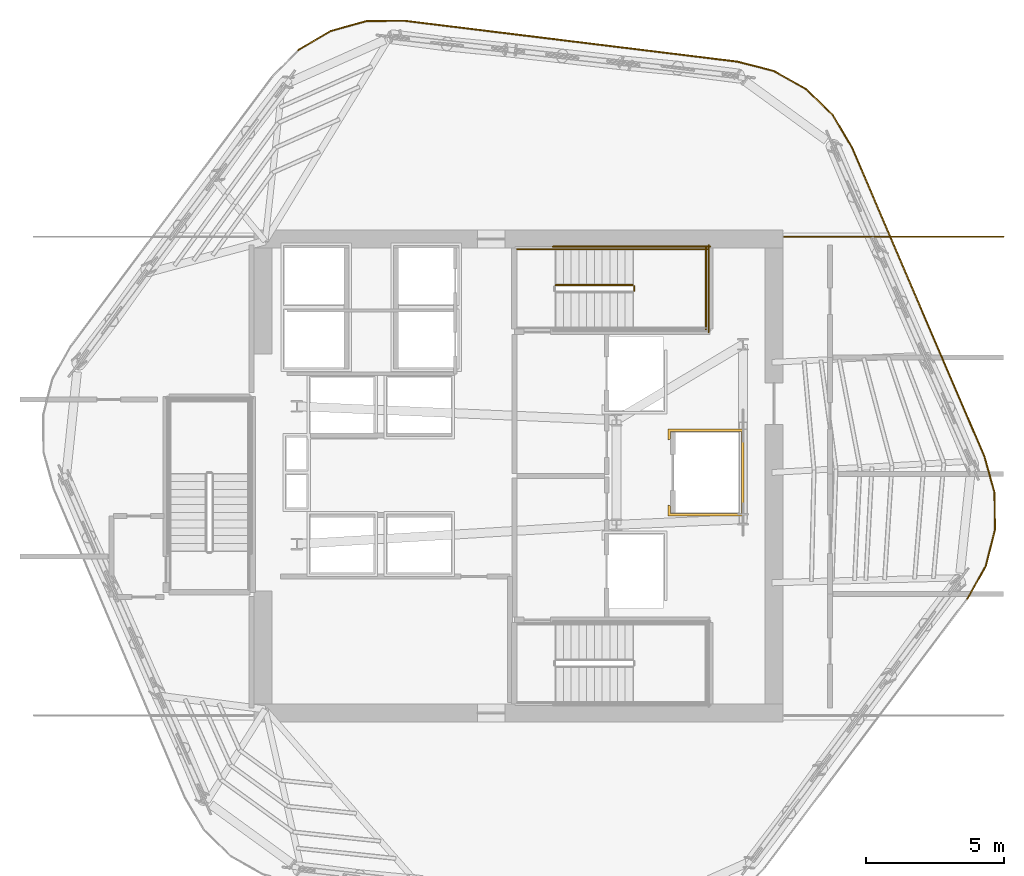
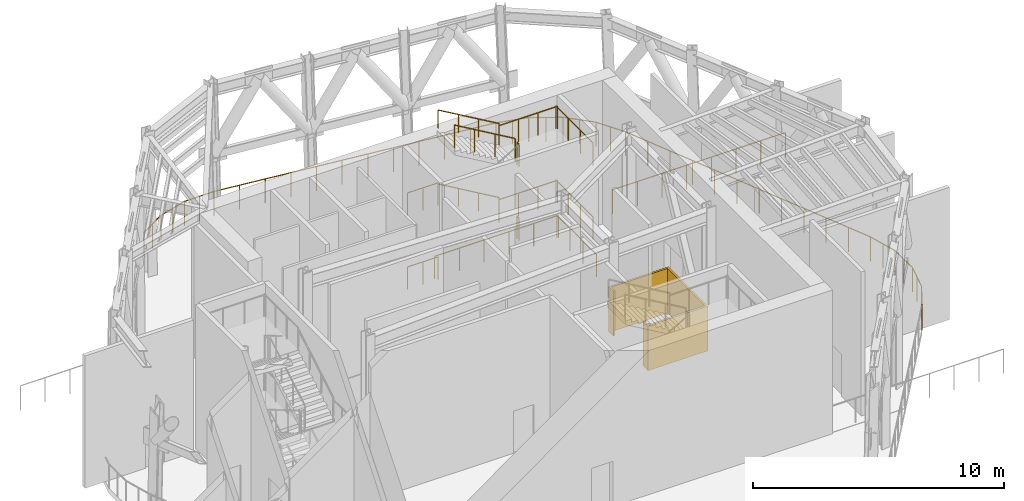
# One storey, part 10 of 10: 27 railings, 1 covering.
"""IFC4 building model written with IfcOpenShell, lengths in metres."""

from ifc_helpers import new_model, si_unit, direction, frame, origin, origin_2d, place, context, subcontext, project, spatial, polyline, circle, outline, extrude, material, layer, layer_set, type_object, element, save


model = new_model("IFC4")

# Units and contexts
model_context = context("Model", 3, precision=1e-05, world=origin(), true_north=direction((0.0, 1.0)))
body_context = subcontext(model_context, "Body", "Model", "MODEL_VIEW")
ifc_project = project(units=[si_unit("LENGTHUNIT", "METRE"), si_unit("AREAUNIT", "SQUARE_METRE"), si_unit("VOLUMEUNIT", "CUBIC_METRE"), si_unit("PLANEANGLEUNIT", "RADIAN"), si_unit("MASSUNIT", "GRAM", prefix="KILO")], contexts=[model_context])

# Site, building, storey
site_placement = place(None, origin())
site = spatial("IfcSite", under=ifc_project, at=site_placement, CompositionType="ELEMENT")
building_placement = place(site_placement, origin())
building = spatial("IfcBuilding", under=site, at=building_placement, Name="Valkerne Bourse Tower", CompositionType="ELEMENT")
storey_placement = place(building_placement, frame((0.0, 0.0, 251.199951171875)))
storey = spatial("IfcBuildingStorey", under=building, at=storey_placement, Name="L64", CompositionType="ELEMENT", Elevation=251.199951171875)

# Covering
ifc_material_1 = material(Name="Gypsum Shaftwall Liner Board", Category="gypsum")
ifc_layer = layer(ifc_material_1, 0.080078125)
ifc_layer_set = layer_set([ifc_layer], Name="Gypsum Shaftwall Liner Board")
covering_type = type_object("IfcCoveringType", Name="COV-SHF-CLAD", PredefinedType="CLADDING", material=ifc_layer_set)
covering_placement = place(storey_placement, origin())
element("IfcCovering", 1, at=covering_placement, inside=storey, type_object=covering_type, Name="L64 Hoistway & Riser Shaftwall Liner 06", PredefinedType="CLADDING", context=body_context, shape_type="SweptSolid", body=[
    extrude(outline(polyline([(54.97998046875, 25.419921875), (52.219970703125, 25.419921875), (52.219970703125, 25.81787109375), (52.227783203125, 25.814208984375), (52.269287109375, 25.79931640625), (52.31005859375, 25.789306640625), (52.31005859375, 25.510009765625), (54.889892578125, 25.510009765625), (54.889892578125, 28.489990234375), (52.31005859375, 28.489990234375), (52.31005859375, 28.210693359375), (52.269287109375, 28.20068359375), (52.227783203125, 28.185791015625), (52.219970703125, 28.18212890625), (52.219970703125, 28.580078125), (54.97998046875, 28.580078125), (54.97998046875, 25.419921875)])), origin(), (0.0, 0.0, 1.0), 2.179931640625),
])

# Railings
ifc_material_2 = material(Name="Stainless Steel AISI 316", Category="steel")
railing_type_1 = type_object("IfcRailingType", Name="RLG-PORTAL-1200", PredefinedType="GUARDRAIL", material=ifc_material_2)
railing_1_placement = place(storey_placement, frame((58.905517578125, 38.792724609375, 0.0)))
element("IfcRailing", 2, at=railing_1_placement, inside=storey, type_object=railing_type_1, Name="L64 Perimeter Guard Railing GRD-L64-HEX-01", PredefinedType="GUARDRAIL", context=body_context, shape_type="SweptSolid", body=[
    extrude(circle(Radius=0.02392578125, at=origin_2d()), frame((0.0, 0.0, 1.17578125), z_axis=(-0.508983783169, 0.860776108214, 0.0), x_axis=(-0.860776108214, -0.508983783169, 0.0)), (0.0, 0.0, 1.0), 1.357421875),
    extrude(circle(Radius=0.02099609375, at=origin_2d()), origin(), (0.0, 0.0, 1.0), 1.15185546875),
    extrude(circle(Radius=0.02099609375, at=origin_2d()), frame((-0.345458984375, 0.584228515625, 0.0)), (0.0, 0.0, 1.0), 1.15185546875),
    extrude(circle(Radius=0.02099609375, at=origin_2d()), frame((-0.69091796875, 1.16845703125, 0.0)), (0.0, 0.0, 1.0), 1.15185546875),
])
railing_2_placement = place(storey_placement, frame((58.214599609375, 39.961181640625, 0.0)))
element("IfcRailing", 3, at=railing_2_placement, inside=storey, type_object=railing_type_1, Name="L64 Perimeter Guard Railing GRD-L64-HEX-02", PredefinedType="GUARDRAIL", context=body_context, shape_type="SweptSolid", body=[
    extrude(circle(Radius=0.02392578125, at=origin_2d()), frame((0.0, 0.0, 1.17578125), z_axis=(-0.714531029054, 0.699603751075, 0.0), x_axis=(-0.699603751075, -0.714531029054, 0.0)), (0.0, 0.0, 1.0), 1.357421875),
    extrude(circle(Radius=0.02099609375, at=origin_2d()), origin(), (0.0, 0.0, 1.0), 1.15185546875),
    extrude(circle(Radius=0.02099609375, at=origin_2d()), frame((-0.48486328125, 0.474853515625, 0.0)), (0.0, 0.0, 1.0), 1.15185546875),
    extrude(circle(Radius=0.02099609375, at=origin_2d()), frame((-0.969970703125, 0.94970703125, 0.0)), (0.0, 0.0, 1.0), 1.15185546875),
])
railing_3_placement = place(storey_placement, frame((57.24462890625, 40.910888671875, 0.0)))
element("IfcRailing", 4, at=railing_3_placement, inside=storey, type_object=railing_type_1, Name="L64 Perimeter Guard Railing GRD-L64-HEX-03", PredefinedType="GUARDRAIL", context=body_context, shape_type="SweptSolid", body=[
    extrude(circle(Radius=0.02392578125, at=origin_2d()), frame((0.0, 0.0, 1.17578125), z_axis=(-0.871171790288, 0.490978321116, 0.0), x_axis=(-0.490978321116, -0.871171790288, 0.0)), (0.0, 0.0, 1.0), 1.357421875),
    extrude(circle(Radius=0.02099609375, at=origin_2d()), origin(), (0.0, 0.0, 1.0), 1.15185546875),
    extrude(circle(Radius=0.02099609375, at=origin_2d()), frame((-0.59130859375, 0.333251953125, 0.0)), (0.0, 0.0, 1.0), 1.15185546875),
    extrude(circle(Radius=0.02099609375, at=origin_2d()), frame((-1.1826171875, 0.66650390625, 0.0)), (0.0, 0.0, 1.0), 1.15185546875),
])
railing_4_placement = place(storey_placement, frame((56.06201171875, 41.577392578125, 0.0)))
element("IfcRailing", 5, at=railing_4_placement, inside=storey, type_object=railing_type_1, Name="L64 Perimeter Guard Railing GRD-L64-HEX-04", PredefinedType="GUARDRAIL", context=body_context, shape_type="SweptSolid", body=[
    extrude(circle(Radius=0.02392578125, at=origin_2d()), frame((0.0, 0.0, 1.17578125), z_axis=(-0.96861058125, 0.248583068391, 0.0), x_axis=(-0.248583068391, -0.96861058125, 0.0)), (0.0, 0.0, 1.0), 1.357421875),
    extrude(circle(Radius=0.02099609375, at=origin_2d()), origin(), (0.0, 0.0, 1.0), 1.15185546875),
    extrude(circle(Radius=0.02099609375, at=origin_2d()), frame((-0.6572265625, 0.168701171875, 0.0)), (0.0, 0.0, 1.0), 1.15185546875),
    extrude(circle(Radius=0.02099609375, at=origin_2d()), frame((-1.314697265625, 0.33740234375, 0.0)), (0.0, 0.0, 1.0), 1.15185546875),
])
railing_5_placement = place(storey_placement, frame((54.747314453125, 41.914794921875, 0.0)))
element("IfcRailing", 6, at=railing_5_placement, inside=storey, type_object=railing_type_1, Name="L64 Perimeter Guard Railing GRD-L64-HEX-05", PredefinedType="GUARDRAIL", context=body_context, shape_type="SweptSolid", body=[
    extrude(circle(Radius=0.02392578125, at=origin_2d()), frame((0.0, 0.0, 1.17578125), z_axis=(-0.992555039341, 0.121796937065, 0.0), x_axis=(-0.121796937065, -0.992555039341, 0.0)), (0.0, 0.0, 1.0), 12.207275390625),
    extrude(circle(Radius=0.02099609375, at=origin_2d()), origin(), (0.0, 0.0, 1.0), 1.15185546875),
    extrude(circle(Radius=0.02099609375, at=origin_2d()), frame((-1.1015625, 0.13525390625, 0.0)), (0.0, 0.0, 1.0), 1.15185546875),
    extrude(circle(Radius=0.02099609375, at=origin_2d()), frame((-2.202880859375, 0.270263671875, 0.0)), (0.0, 0.0, 1.0), 1.15185546875),
    extrude(circle(Radius=0.02099609375, at=origin_2d()), frame((-3.304443359375, 0.405517578125, 0.0)), (0.0, 0.0, 1.0), 1.15185546875),
    extrude(circle(Radius=0.02099609375, at=origin_2d()), frame((-4.406005859375, 0.540771484375, 0.0)), (0.0, 0.0, 1.0), 1.15185546875),
    extrude(circle(Radius=0.02099609375, at=origin_2d()), frame((-5.507568359375, 0.67578125, 0.0)), (0.0, 0.0, 1.0), 1.15185546875),
    extrude(circle(Radius=0.02099609375, at=origin_2d()), frame((-6.60888671875, 0.81103515625, 0.0)), (0.0, 0.0, 1.0), 1.15185546875),
    extrude(circle(Radius=0.02099609375, at=origin_2d()), frame((-7.71044921875, 0.946044921875, 0.0)), (0.0, 0.0, 1.0), 1.15185546875),
    extrude(circle(Radius=0.02099609375, at=origin_2d()), frame((-8.81201171875, 1.081298828125, 0.0)), (0.0, 0.0, 1.0), 1.15185546875),
    extrude(circle(Radius=0.02099609375, at=origin_2d()), frame((-9.91357421875, 1.216552734375, 0.0)), (0.0, 0.0, 1.0), 1.15185546875),
    extrude(circle(Radius=0.02099609375, at=origin_2d()), frame((-11.014892578125, 1.3515625, 0.0)), (0.0, 0.0, 1.0), 1.15185546875),
    extrude(circle(Radius=0.02099609375, at=origin_2d()), frame((-12.116455078125, 1.48681640625, 0.0)), (0.0, 0.0, 1.0), 1.15185546875),
])
railing_6_placement = place(storey_placement, frame((42.630859375, 43.401611328125, 0.0)))
element("IfcRailing", 7, at=railing_6_placement, inside=storey, type_object=railing_type_1, Name="L64 Perimeter Guard Railing GRD-L64-HEX-06", PredefinedType="GUARDRAIL", context=body_context, shape_type="SweptSolid", body=[
    extrude(circle(Radius=0.02392578125, at=origin_2d()), frame((0.0, 0.0, 1.17578125), z_axis=(-0.999943702674, -0.010610913392, 0.0), x_axis=(0.010610913392, -0.999943702674, 0.0)), (0.0, 0.0, 1.0), 1.357421875),
    extrude(circle(Radius=0.02099609375, at=origin_2d()), origin(), (0.0, 0.0, 1.0), 1.15185546875),
    extrude(circle(Radius=0.02099609375, at=origin_2d()), frame((-0.6787109375, -0.00732421875, 0.0)), (0.0, 0.0, 1.0), 1.15185546875),
    extrude(circle(Radius=0.02099609375, at=origin_2d()), frame((-1.357421875, -0.014404296875, 0.0)), (0.0, 0.0, 1.0), 1.15185546875),
])
railing_7_placement = place(storey_placement, frame((41.2734375, 43.38720703125, 0.0)))
element("IfcRailing", 8, at=railing_7_placement, inside=storey, type_object=railing_type_1, Name="L64 Perimeter Guard Railing GRD-L64-HEX-07", PredefinedType="GUARDRAIL", context=body_context, shape_type="SweptSolid", body=[
    extrude(circle(Radius=0.02392578125, at=origin_2d()), frame((0.0, 0.0, 1.17578125), z_axis=(-0.96318222382, -0.268849407134, 0.0), x_axis=(0.268849407134, -0.96318222382, 0.0)), (0.0, 0.0, 1.0), 1.357666015625),
    extrude(circle(Radius=0.02099609375, at=origin_2d()), origin(), (0.0, 0.0, 1.0), 1.15185546875),
    extrude(circle(Radius=0.02099609375, at=origin_2d()), frame((-0.65380859375, -0.1826171875, 0.0)), (0.0, 0.0, 1.0), 1.15185546875),
    extrude(circle(Radius=0.02099609375, at=origin_2d()), frame((-1.3076171875, -0.364990234375, 0.0)), (0.0, 0.0, 1.0), 1.15185546875),
])
railing_8_placement = place(storey_placement, frame((39.9658203125, 43.022216796875, 0.0)))
element("IfcRailing", 9, at=railing_8_placement, inside=storey, type_object=railing_type_1, Name="L64 Perimeter Guard Railing GRD-L64-HEX-08", PredefinedType="GUARDRAIL", context=body_context, shape_type="SweptSolid", body=[
    extrude(circle(Radius=0.02392578125, at=origin_2d()), frame((0.0, 0.0, 1.17578125), z_axis=(-0.860729503885, -0.509062590594, 0.0), x_axis=(0.509062590594, -0.860729503885, 0.0)), (0.0, 0.0, 1.0), 1.357177734375),
    extrude(circle(Radius=0.02099609375, at=origin_2d()), origin(), (0.0, 0.0, 1.0), 1.15185546875),
    extrude(circle(Radius=0.02099609375, at=origin_2d()), frame((-0.583984375, -0.345458984375, 0.0)), (0.0, 0.0, 1.0), 1.15185546875),
    extrude(circle(Radius=0.02099609375, at=origin_2d()), frame((-1.168212890625, -0.69091796875, 0.0)), (0.0, 0.0, 1.0), 1.15185546875),
])
railing_9_placement = place(storey_placement, frame((63.088623046875, 22.409912109375, 0.0)))
element("IfcRailing", 10, at=railing_9_placement, inside=storey, type_object=railing_type_1, Name="L64 Perimeter Guard Railing GRD-L64-HEX-26", PredefinedType="GUARDRAIL", context=body_context, shape_type="SweptSolid", body=[
    extrude(circle(Radius=0.02392578125, at=origin_2d()), frame((0.0, 0.0, 1.17578125), z_axis=(0.490978321116, 0.871171790288, 0.0), x_axis=(-0.871171790288, 0.490978321116, 0.0)), (0.0, 0.0, 1.0), 1.357421875),
    extrude(circle(Radius=0.02099609375, at=origin_2d()), origin(), (0.0, 0.0, 1.0), 1.15185546875),
    extrude(circle(Radius=0.02099609375, at=origin_2d()), frame((0.333251953125, 0.59130859375, 0.0)), (0.0, 0.0, 1.0), 1.15185546875),
    extrude(circle(Radius=0.02099609375, at=origin_2d()), frame((0.66650390625, 1.1826171875, 0.0)), (0.0, 0.0, 1.0), 1.15185546875),
])
railing_10_placement = place(storey_placement, frame((63.755126953125, 23.592529296875, 0.0)))
element("IfcRailing", 11, at=railing_10_placement, inside=storey, type_object=railing_type_1, Name="L64 Perimeter Guard Railing GRD-L64-HEX-27", PredefinedType="GUARDRAIL", context=body_context, shape_type="SweptSolid", body=[
    extrude(circle(Radius=0.02392578125, at=origin_2d()), frame((0.0, 0.0, 1.17578125), z_axis=(0.248708486287, 0.968578385495, 0.0), x_axis=(-0.968578385495, 0.248708486287, 0.0)), (0.0, 0.0, 1.0), 1.357666015625),
    extrude(circle(Radius=0.02099609375, at=origin_2d()), origin(), (0.0, 0.0, 1.0), 1.15185546875),
    extrude(circle(Radius=0.02099609375, at=origin_2d()), frame((0.1689453125, 0.657470703125, 0.0)), (0.0, 0.0, 1.0), 1.15185546875),
    extrude(circle(Radius=0.02099609375, at=origin_2d()), frame((0.337646484375, 1.31494140625, 0.0)), (0.0, 0.0, 1.0), 1.15185546875),
])
railing_11_placement = place(storey_placement, frame((64.0927734375, 24.907470703125, 0.0)))
element("IfcRailing", 12, at=railing_11_placement, inside=storey, type_object=railing_type_1, Name="L64 Perimeter Guard Railing GRD-L64-HEX-28", PredefinedType="GUARDRAIL", context=body_context, shape_type="SweptSolid", body=[
    extrude(circle(Radius=0.02392578125, at=origin_2d()), frame((0.0, 0.0, 1.17578125), z_axis=(-0.010431087139, 0.999945594731, 0.0), x_axis=(-0.999945594731, -0.010431087139, 0.0)), (0.0, 0.0, 1.0), 1.357421875),
    extrude(circle(Radius=0.02099609375, at=origin_2d()), origin(), (0.0, 0.0, 1.0), 1.15185546875),
    extrude(circle(Radius=0.02099609375, at=origin_2d()), frame((-0.007080078125, 0.6787109375, 0.0)), (0.0, 0.0, 1.0), 1.15185546875),
    extrude(circle(Radius=0.02099609375, at=origin_2d()), frame((-0.01416015625, 1.357421875, 0.0)), (0.0, 0.0, 1.0), 1.15185546875),
])
railing_12_placement = place(storey_placement, frame((64.07861328125, 26.264892578125, 0.0)))
element("IfcRailing", 13, at=railing_12_placement, inside=storey, type_object=railing_type_1, Name="L64 Perimeter Guard Railing GRD-L64-HEX-29", PredefinedType="GUARDRAIL", context=body_context, shape_type="SweptSolid", body=[
    extrude(circle(Radius=0.02392578125, at=origin_2d()), frame((0.0, 0.0, 1.17578125), z_axis=(-0.269062829042, 0.963122626683, 0.0), x_axis=(-0.963122626683, -0.269062829042, 0.0)), (0.0, 0.0, 1.0), 1.357421875),
    extrude(circle(Radius=0.02099609375, at=origin_2d()), origin(), (0.0, 0.0, 1.0), 1.15185546875),
    extrude(circle(Radius=0.02099609375, at=origin_2d()), frame((-0.1826171875, 0.65380859375, 0.0)), (0.0, 0.0, 1.0), 1.15185546875),
    extrude(circle(Radius=0.02099609375, at=origin_2d()), frame((-0.365234375, 1.307373046875, 0.0)), (0.0, 0.0, 1.0), 1.15185546875),
])
railing_13_placement = place(storey_placement, frame((63.71337890625, 27.572265625, 0.0)))
element("IfcRailing", 14, at=railing_13_placement, inside=storey, type_object=railing_type_1, Name="L64 Perimeter Guard Railing GRD-L64-HEX-30", PredefinedType="GUARDRAIL", context=body_context, shape_type="SweptSolid", body=[
    extrude(circle(Radius=0.02392578125, at=origin_2d()), frame((0.0, 0.0, 1.17578125), z_axis=(-0.393856539592, 0.919171924191, 0.0), x_axis=(-0.919171924191, -0.393856539592, 0.0)), (0.0, 0.0, 1.0), 12.20703125),
    extrude(circle(Radius=0.02099609375, at=origin_2d()), origin(), (0.0, 0.0, 1.0), 1.15185546875),
    extrude(circle(Radius=0.02099609375, at=origin_2d()), frame((-0.43701171875, 1.02001953125, 0.0)), (0.0, 0.0, 1.0), 1.15185546875),
    extrude(circle(Radius=0.02099609375, at=origin_2d()), frame((-0.874267578125, 2.0400390625, 0.0)), (0.0, 0.0, 1.0), 1.15185546875),
    extrude(circle(Radius=0.02099609375, at=origin_2d()), frame((-1.311279296875, 3.06005859375, 0.0)), (0.0, 0.0, 1.0), 1.15185546875),
    extrude(circle(Radius=0.02099609375, at=origin_2d()), frame((-1.748291015625, 4.080078125, 0.0)), (0.0, 0.0, 1.0), 1.15185546875),
    extrude(circle(Radius=0.02099609375, at=origin_2d()), frame((-2.185302734375, 5.10009765625, 0.0)), (0.0, 0.0, 1.0), 1.15185546875),
    extrude(circle(Radius=0.02099609375, at=origin_2d()), frame((-2.62255859375, 6.120361328125, 0.0)), (0.0, 0.0, 1.0), 1.15185546875),
    extrude(circle(Radius=0.02099609375, at=origin_2d()), frame((-3.0595703125, 7.140380859375, 0.0)), (0.0, 0.0, 1.0), 1.15185546875),
    extrude(circle(Radius=0.02099609375, at=origin_2d()), frame((-3.49658203125, 8.160400390625, 0.0)), (0.0, 0.0, 1.0), 1.15185546875),
    extrude(circle(Radius=0.02099609375, at=origin_2d()), frame((-3.93359375, 9.180419921875, 0.0)), (0.0, 0.0, 1.0), 1.15185546875),
    extrude(circle(Radius=0.02099609375, at=origin_2d()), frame((-4.370849609375, 10.200439453125, 0.0)), (0.0, 0.0, 1.0), 1.15185546875),
    extrude(circle(Radius=0.02099609375, at=origin_2d()), frame((-4.807861328125, 11.220458984375, 0.0)), (0.0, 0.0, 1.0), 1.15185546875),
])
railing_14_placement = place(storey_placement, frame((56.449951171875, 35.56005859375, 0.0)))
element("IfcRailing", 15, at=railing_14_placement, inside=storey, type_object=railing_type_1, Name="L64 Wind Portal Bridge Guard NE", PredefinedType="GUARDRAIL", context=body_context, shape_type="SweptSolid", body=[
    extrude(circle(Radius=0.02392578125, at=origin_2d()), frame((0.0, 0.0, 1.17578125), z_axis=(1.0, 0.0, 0.0), x_axis=(0.0, 1.0, 0.0)), (0.0, 0.0, 1.0), 7.949951171875),
    extrude(circle(Radius=0.02099609375, at=origin_2d()), origin(), (0.0, 0.0, 1.0), 1.15185546875),
    extrude(circle(Radius=0.02099609375, at=origin_2d()), frame((1.1357421875, 0.0, 0.0)), (0.0, 0.0, 1.0), 1.15185546875),
    extrude(circle(Radius=0.02099609375, at=origin_2d()), frame((2.271484375, 0.0, 0.0)), (0.0, 0.0, 1.0), 1.15185546875),
    extrude(circle(Radius=0.02099609375, at=origin_2d()), frame((3.4072265625, 0.0, 0.0)), (0.0, 0.0, 1.0), 1.15185546875),
    extrude(circle(Radius=0.02099609375, at=origin_2d()), frame((4.542724609375, 0.0, 0.0)), (0.0, 0.0, 1.0), 1.15185546875),
    extrude(circle(Radius=0.02099609375, at=origin_2d()), frame((5.678466796875, 0.0, 0.0)), (0.0, 0.0, 1.0), 1.15185546875),
    extrude(circle(Radius=0.02099609375, at=origin_2d()), frame((6.814208984375, 0.0, 0.0)), (0.0, 0.0, 1.0), 1.15185546875),
    extrude(circle(Radius=0.02099609375, at=origin_2d()), frame((7.949951171875, 0.0, 0.0)), (0.0, 0.0, 1.0), 1.15185546875),
])
ifc_material_3 = material(Name="Galvanised Painted Steel", Category="steel")
railing_type_2 = type_object("IfcRailingType", Name="RLG-ST-GUARD-1120", PredefinedType="GUARDRAIL", material=ifc_material_3)
railing_15_placement = place(storey_placement, frame((51.0, 33.60009765625, 1.800048828125)))
element("IfcRailing", 16, at=railing_15_placement, inside=storey, type_object=railing_type_2, Name="L64 ST-2 stair guard 2", PredefinedType="GUARDRAIL", context=body_context, shape_type="SweptSolid", body=[
    extrude(circle(Radius=0.02392578125, at=origin_2d()), frame((0.0, 0.0, 1.09619140625), z_axis=(0.0, 1.0, 0.0), x_axis=(-1.0, 0.0, 0.0)), (0.0, 0.0, 1.0), 0.14990234375),
    extrude(circle(Radius=0.02099609375, at=origin_2d()), origin(), (0.0, 0.0, 1.0), 1.072021484375),
    extrude(circle(Radius=0.02099609375, at=origin_2d()), frame((0.0, 0.14990234375, 0.0)), (0.0, 0.0, 1.0), 1.072021484375),
])
railing_16_placement = place(storey_placement, frame((50.949951171875, 35.10009765625, 1.800048828125)))
element("IfcRailing", 17, at=railing_16_placement, inside=storey, type_object=railing_type_2, Name="L64 ST-2 stair guard 4", PredefinedType="GUARDRAIL", context=body_context, shape_type="SweptSolid", body=[
    extrude(circle(Radius=0.02392578125, at=origin_2d()), frame((0.0, 0.0, 1.09619140625), z_axis=(1.0, 0.0, 0.0), x_axis=(0.0, 1.0, 0.0)), (0.0, 0.0, 1.0), 2.699951171875),
    extrude(circle(Radius=0.02099609375, at=origin_2d()), origin(), (0.0, 0.0, 1.0), 1.072021484375),
    extrude(circle(Radius=0.02099609375, at=origin_2d()), frame((0.89990234375, 0.0, 0.0)), (0.0, 0.0, 1.0), 1.072021484375),
    extrude(circle(Radius=0.02099609375, at=origin_2d()), frame((1.800048828125, 0.0, 0.0)), (0.0, 0.0, 1.0), 1.072021484375),
    extrude(circle(Radius=0.02099609375, at=origin_2d()), frame((2.699951171875, 0.0, 0.0)), (0.0, 0.0, 1.0), 1.072021484375),
])
railing_17_placement = place(storey_placement, frame((53.60009765625, 32.199951171875, 1.800048828125)))
element("IfcRailing", 18, at=railing_17_placement, inside=storey, type_object=railing_type_2, Name="L64 ST-2 stair guard 5", PredefinedType="GUARDRAIL", context=body_context, shape_type="SweptSolid", body=[
    extrude(circle(Radius=0.02392578125, at=origin_2d()), frame((0.0, 0.0, 1.09619140625), z_axis=(0.0, 1.0, 0.0), x_axis=(-1.0, 0.0, 0.0)), (0.0, 0.0, 1.0), 2.949951171875),
    extrude(circle(Radius=0.02099609375, at=origin_2d()), origin(), (0.0, 0.0, 1.0), 1.072021484375),
    extrude(circle(Radius=0.02099609375, at=origin_2d()), frame((0.0, 0.9833984375, 0.0)), (0.0, 0.0, 1.0), 1.072021484375),
    extrude(circle(Radius=0.02099609375, at=origin_2d()), frame((0.0, 1.966552734375, 0.0)), (0.0, 0.0, 1.0), 1.072021484375),
    extrude(circle(Radius=0.02099609375, at=origin_2d()), frame((0.0, 2.949951171875, 0.0)), (0.0, 0.0, 1.0), 1.072021484375),
])
railing_18_placement = place(storey_placement, frame((46.75, 35.10009765625, 3.60009765625)))
element("IfcRailing", 19, at=railing_18_placement, inside=storey, type_object=railing_type_2, Name="L64 ST-2 stair guard 9", PredefinedType="GUARDRAIL", context=body_context, shape_type="SweptSolid", body=[
    extrude(circle(Radius=0.02392578125, at=origin_2d()), frame((0.0, 0.0, 1.09619140625), z_axis=(1.0, 0.0, 0.0), x_axis=(0.0, 1.0, 0.0)), (0.0, 0.0, 1.0), 1.39990234375),
    extrude(circle(Radius=0.02099609375, at=origin_2d()), origin(), (0.0, 0.0, 1.0), 1.072021484375),
    extrude(circle(Radius=0.02099609375, at=origin_2d()), frame((0.699951171875, 0.0, 0.0)), (0.0, 0.0, 1.0), 1.072021484375),
    extrude(circle(Radius=0.02099609375, at=origin_2d()), frame((1.39990234375, 0.0, 0.0)), (0.0, 0.0, 1.0), 1.072021484375),
])
railing_19_placement = place(storey_placement, frame((51.0, 33.60009765625, 5.400146484375)))
element("IfcRailing", 20, at=railing_19_placement, inside=storey, type_object=railing_type_2, Name="L64 ST-2 stair guard 11", PredefinedType="GUARDRAIL", context=body_context, shape_type="SweptSolid", body=[
    extrude(circle(Radius=0.02392578125, at=origin_2d()), frame((0.0, 0.0, 1.09619140625), z_axis=(0.0, 1.0, 0.0), x_axis=(-1.0, 0.0, 0.0)), (0.0, 0.0, 1.0), 0.14990234375),
    extrude(circle(Radius=0.02099609375, at=origin_2d()), origin(), (0.0, 0.0, 1.0), 1.072021484375),
    extrude(circle(Radius=0.02099609375, at=origin_2d()), frame((0.0, 0.14990234375, 0.0)), (0.0, 0.0, 1.0), 1.072021484375),
])
railing_20_placement = place(storey_placement, frame((50.949951171875, 35.10009765625, 5.400146484375)))
element("IfcRailing", 21, at=railing_20_placement, inside=storey, type_object=railing_type_2, Name="L64 ST-2 stair guard 13", PredefinedType="GUARDRAIL", context=body_context, shape_type="SweptSolid", body=[
    extrude(circle(Radius=0.02392578125, at=origin_2d()), frame((0.0, 0.0, 1.09619140625), z_axis=(1.0, 0.0, 0.0), x_axis=(0.0, 1.0, 0.0)), (0.0, 0.0, 1.0), 2.699951171875),
    extrude(circle(Radius=0.02099609375, at=origin_2d()), origin(), (0.0, 0.0, 1.0), 1.072021484375),
    extrude(circle(Radius=0.02099609375, at=origin_2d()), frame((0.89990234375, 0.0, 0.0)), (0.0, 0.0, 1.0), 1.072021484375),
    extrude(circle(Radius=0.02099609375, at=origin_2d()), frame((1.800048828125, 0.0, 0.0)), (0.0, 0.0, 1.0), 1.072021484375),
    extrude(circle(Radius=0.02099609375, at=origin_2d()), frame((2.699951171875, 0.0, 0.0)), (0.0, 0.0, 1.0), 1.072021484375),
])
railing_21_placement = place(storey_placement, frame((53.60009765625, 32.199951171875, 5.400146484375)))
element("IfcRailing", 22, at=railing_21_placement, inside=storey, type_object=railing_type_2, Name="L64 ST-2 stair guard 14", PredefinedType="GUARDRAIL", context=body_context, shape_type="SweptSolid", body=[
    extrude(circle(Radius=0.02392578125, at=origin_2d()), frame((0.0, 0.0, 1.09619140625), z_axis=(0.0, 1.0, 0.0), x_axis=(-1.0, 0.0, 0.0)), (0.0, 0.0, 1.0), 2.949951171875),
    extrude(circle(Radius=0.02099609375, at=origin_2d()), origin(), (0.0, 0.0, 1.0), 1.072021484375),
    extrude(circle(Radius=0.02099609375, at=origin_2d()), frame((0.0, 0.9833984375, 0.0)), (0.0, 0.0, 1.0), 1.072021484375),
    extrude(circle(Radius=0.02099609375, at=origin_2d()), frame((0.0, 1.966552734375, 0.0)), (0.0, 0.0, 1.0), 1.072021484375),
    extrude(circle(Radius=0.02099609375, at=origin_2d()), frame((0.0, 2.949951171875, 0.0)), (0.0, 0.0, 1.0), 1.072021484375),
])
railing_22_placement = place(storey_placement, frame((50.949951171875, 33.800048828125, 5.563720703125)))
element("IfcRailing", 23, at=railing_22_placement, inside=storey, type_object=railing_type_2, Name="L64 ST-2 stair guard 15", PredefinedType="GUARDRAIL", context=body_context, shape_type="SweptSolid", body=[
    extrude(circle(Radius=0.02392578125, at=origin_2d()), frame((0.0, 0.0, 1.09619140625), z_axis=(-0.863393664356, 0.0, 0.504530851732), x_axis=(0.0, -1.0, 0.0)), (0.0, 0.0, 1.0), 3.2431640625),
    extrude(circle(Radius=0.02099609375, at=origin_2d()), origin(), (0.0, 0.0, 1.0), 1.072021484375),
    extrude(circle(Radius=0.02099609375, at=origin_2d()), frame((-0.933349609375, 0.0, 0.54541015625)), (0.0, 0.0, 1.0), 1.072021484375),
    extrude(circle(Radius=0.02099609375, at=origin_2d()), frame((-1.86669921875, 0.0, 1.0908203125)), (0.0, 0.0, 1.0), 1.072021484375),
    extrude(circle(Radius=0.02099609375, at=origin_2d()), frame((-2.800048828125, 0.0, 1.63623046875)), (0.0, 0.0, 1.0), 1.072021484375),
])
railing_23_placement = place(storey_placement, frame((46.75, 35.10009765625, 0.0)))
element("IfcRailing", 24, at=railing_23_placement, inside=storey, type_object=railing_type_2, Name="L64 ST-2 stair guard 18", PredefinedType="GUARDRAIL", context=body_context, shape_type="SweptSolid", body=[
    extrude(circle(Radius=0.02392578125, at=origin_2d()), frame((0.0, 0.0, 1.09619140625), z_axis=(1.0, 0.0, 0.0), x_axis=(0.0, 1.0, 0.0)), (0.0, 0.0, 1.0), 1.39990234375),
    extrude(circle(Radius=0.02099609375, at=origin_2d()), origin(), (0.0, 0.0, 1.0), 1.072021484375),
    extrude(circle(Radius=0.02099609375, at=origin_2d()), frame((0.699951171875, 0.0, 0.0)), (0.0, 0.0, 1.0), 1.072021484375),
    extrude(circle(Radius=0.02099609375, at=origin_2d()), frame((1.39990234375, 0.0, 0.0)), (0.0, 0.0, 1.0), 1.072021484375),
])
railing_24_placement = place(storey_placement, frame((48.050048828125, 35.199951171875, 0.0)))
element("IfcRailing", 25, at=railing_24_placement, inside=storey, type_object=railing_type_2, Name="L64 ST-2 stair guard 20", PredefinedType="GUARDRAIL", context=body_context, shape_type="SweptSolid", body=[
    extrude(circle(Radius=0.02392578125, at=origin_2d()), frame((0.0, 0.0, 1.09619140625), z_axis=(1.0, 0.0, 0.0), x_axis=(0.0, 1.0, 0.0)), (0.0, 0.0, 1.0), 5.699951171875),
    extrude(circle(Radius=0.02099609375, at=origin_2d()), origin(), (0.0, 0.0, 1.0), 1.072021484375),
    extrude(circle(Radius=0.02099609375, at=origin_2d()), frame((1.139892578125, 0.0, 0.0)), (0.0, 0.0, 1.0), 1.072021484375),
    extrude(circle(Radius=0.02099609375, at=origin_2d()), frame((2.280029296875, 0.0, 0.0)), (0.0, 0.0, 1.0), 1.072021484375),
    extrude(circle(Radius=0.02099609375, at=origin_2d()), frame((3.419921875, 0.0, 0.0)), (0.0, 0.0, 1.0), 1.072021484375),
    extrude(circle(Radius=0.02099609375, at=origin_2d()), frame((4.56005859375, 0.0, 0.0)), (0.0, 0.0, 1.0), 1.072021484375),
    extrude(circle(Radius=0.02099609375, at=origin_2d()), frame((5.699951171875, 0.0, 0.0)), (0.0, 0.0, 1.0), 1.072021484375),
])
railing_25_placement = place(storey_placement, frame((53.699951171875, 32.10009765625, 0.0)))
element("IfcRailing", 26, at=railing_25_placement, inside=storey, type_object=railing_type_2, Name="L64 ST-2 stair guard 21", PredefinedType="GUARDRAIL", context=body_context, shape_type="SweptSolid", body=[
    extrude(circle(Radius=0.02392578125, at=origin_2d()), frame((0.0, 0.0, 1.09619140625), z_axis=(0.0, 1.0, 0.0), x_axis=(-1.0, 0.0, 0.0)), (0.0, 0.0, 1.0), 3.14990234375),
    extrude(circle(Radius=0.02099609375, at=origin_2d()), origin(), (0.0, 0.0, 1.0), 1.072021484375),
    extrude(circle(Radius=0.02099609375, at=origin_2d()), frame((0.0, 1.050048828125, 0.0)), (0.0, 0.0, 1.0), 1.072021484375),
    extrude(circle(Radius=0.02099609375, at=origin_2d()), frame((0.0, 2.099853515625, 0.0)), (0.0, 0.0, 1.0), 1.072021484375),
    extrude(circle(Radius=0.02099609375, at=origin_2d()), frame((0.0, 3.14990234375, 0.0)), (0.0, 0.0, 1.0), 1.072021484375),
])
railing_type_3 = type_object("IfcRailingType", Name="RLG-ST-HANDRAIL-900", PredefinedType="HANDRAIL", material=ifc_material_2)
railing_26_placement = place(storey_placement, frame((50.949951171875, 35.10009765625, 2.12744140625)))
element("IfcRailing", 27, at=railing_26_placement, inside=storey, type_object=railing_type_3, Name="L64 ST-2 stair handrail 2", PredefinedType="HANDRAIL", context=body_context, shape_type="SweptSolid", body=[
    extrude(circle(Radius=0.02392578125, at=origin_2d()), frame((0.0, 0.0, 0.8759765625), z_axis=(-0.863393664356, 0.0, 0.504530851732), x_axis=(0.0, -1.0, 0.0)), (0.0, 0.0, 1.0), 3.2431640625),
    extrude(circle(Radius=0.02099609375, at=origin_2d()), origin(), (0.0, 0.0, 1.0), 0.851806640625),
    extrude(circle(Radius=0.02099609375, at=origin_2d()), frame((-0.933349609375, 0.0, 0.54541015625)), (0.0, 0.0, 1.0), 0.851806640625),
    extrude(circle(Radius=0.02099609375, at=origin_2d()), frame((-1.86669921875, 0.0, 1.0908203125)), (0.0, 0.0, 1.0), 0.851806640625),
    extrude(circle(Radius=0.02099609375, at=origin_2d()), frame((-2.800048828125, 0.0, 1.63623046875)), (0.0, 0.0, 1.0), 0.851806640625),
])
railing_27_placement = place(storey_placement, frame((50.949951171875, 35.10009765625, 5.727294921875)))
element("IfcRailing", 28, at=railing_27_placement, inside=storey, type_object=railing_type_3, Name="L64 ST-2 stair handrail 4", PredefinedType="HANDRAIL", context=body_context, shape_type="SweptSolid", body=[
    extrude(circle(Radius=0.02392578125, at=origin_2d()), frame((0.0, 0.0, 0.8759765625), z_axis=(-0.863360870873, 0.0, 0.504586966384), x_axis=(0.0, -1.0, 0.0)), (0.0, 0.0, 1.0), 3.2431640625),
    extrude(circle(Radius=0.02099609375, at=origin_2d()), origin(), (0.0, 0.0, 1.0), 0.851806640625),
    extrude(circle(Radius=0.02099609375, at=origin_2d()), frame((-0.933349609375, 0.0, 0.54541015625)), (0.0, 0.0, 1.0), 0.851806640625),
    extrude(circle(Radius=0.02099609375, at=origin_2d()), frame((-1.86669921875, 0.0, 1.091064453125)), (0.0, 0.0, 1.0), 0.851806640625),
    extrude(circle(Radius=0.02099609375, at=origin_2d()), frame((-2.800048828125, 0.0, 1.636474609375)), (0.0, 0.0, 1.0), 0.851806640625),
])

save(model, "model.ifc")
